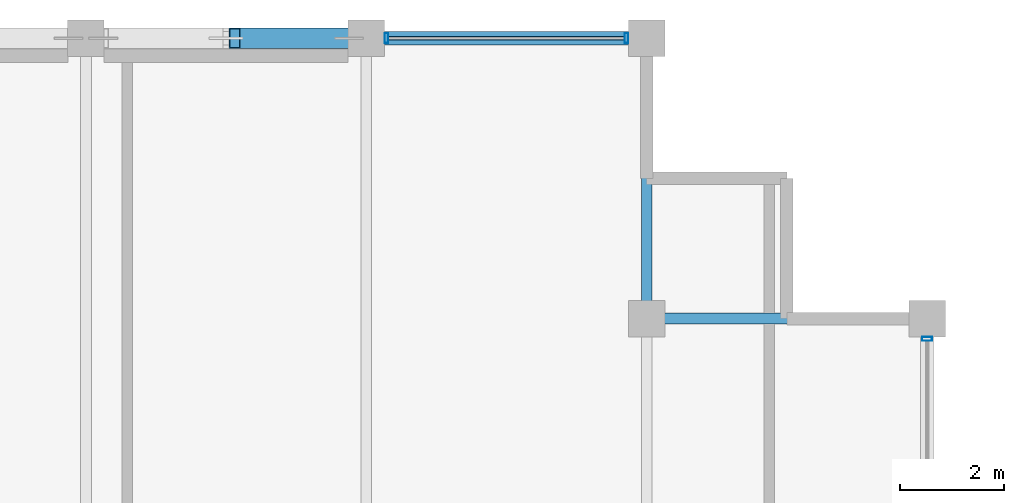
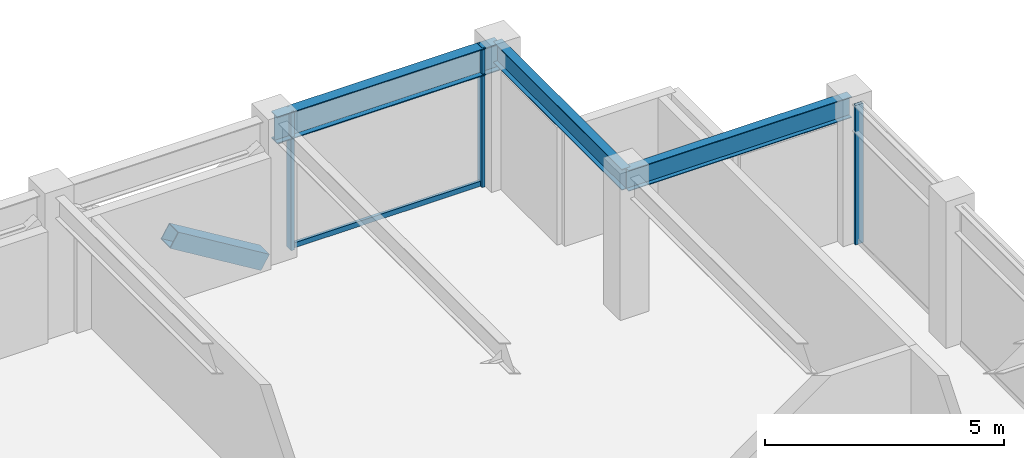
# One storey, part 19 of 29: 5 members, 3 beams, 2 elements without a shape of their own.
"""IFC4 building model written with IfcOpenShell, lengths in metres."""

import ifcopenshell
import ifcopenshell.guid

model = None  # the IFC model being written
_history = None  # IfcOwnerHistory: only IFC2X3 demands one
_inside = {}  # id of a spatial element -> (the spatial element, [elements in it])
_under = {}  # id of a project, library or spatial element -> (it, [spatial elements below it])
_declared = {}  # id of a project -> (the project, [libraries it declares])
_typed = {}  # id of a type object -> (the type object, [elements of that type])
_made_of = {}  # id of a material, layer set ... -> (it, [elements and type objects made of it])


def new_model(schema):
    """Start an empty IFC model of exactly this schema.

    Asked for "IFC4X3", IfcOpenShell would pick the latest addendum, in which some entities
    have other attributes; the version numbers below select the first issue.
    IFC2X3 requires an IfcOwnerHistory on every rooted entity: one is made here for all.
    """
    global model, _history
    if schema == "IFC4X3":
        model = ifcopenshell.file(schema_version=(4, 3, 0, 0))
    else:
        model = ifcopenshell.file(schema=schema)
    _inside.clear()
    _under.clear()
    _declared.clear()
    _typed.clear()
    _made_of.clear()
    _history = None
    if model.schema == "IFC2X3":
        org = make("IfcOrganization", Name="unknown")
        user = make(
            "IfcPersonAndOrganization",
            ThePerson=make("IfcPerson", FamilyName="unknown"),
            TheOrganization=org,
        )
        app = make(
            "IfcApplication",
            ApplicationDeveloper=org,
            Version="unknown",
            ApplicationFullName="unknown",
            ApplicationIdentifier="unknown",
        )
        _history = make(
            "IfcOwnerHistory",
            OwningUser=user,
            OwningApplication=app,
            ChangeAction="ADDED",
            CreationDate=0,
        )
    return model


def make(cls, **values):
    """One entity of the class cls with the attributes given. An attribute that is None is left unset."""
    return model.create_entity(
        cls, **{name: value for name, value in values.items() if value is not None}
    )


def rooted(cls, **values):
    """An entity with a GlobalId (a new one), such as an element, a storey or a relation."""
    return make(cls, GlobalId=ifcopenshell.guid.new(), OwnerHistory=_history, **values)


def si_unit(unit_type, name, prefix=None):
    """IfcSIUnit, for example si_unit("LENGTHUNIT", "METRE", prefix="MILLI")."""
    return make("IfcSIUnit", UnitType=unit_type, Prefix=prefix, Name=name)


def assignment(units):
    """IfcUnitAssignment: the units of a project."""
    return None if units is None else make("IfcUnitAssignment", Units=units)


def point(xyz):
    """IfcCartesianPoint."""
    return None if xyz is None else make("IfcCartesianPoint", Coordinates=xyz)


def direction(xyz):
    """IfcDirection."""
    return None if xyz is None else make("IfcDirection", DirectionRatios=xyz)


def frame(location, z_axis=None, x_axis=None):
    """IfcAxis2Placement3D, a coordinate frame: its origin and axes. An axis left out is left unset."""
    return make(
        "IfcAxis2Placement3D",
        Location=point(location),
        Axis=direction(z_axis),
        RefDirection=direction(x_axis),
    )


def frame_2d(location, x_axis=None):
    """IfcAxis2Placement2D, a coordinate frame in the plane: its origin and x axis."""
    return make(
        "IfcAxis2Placement2D", Location=point(location), RefDirection=direction(x_axis)
    )


def origin():
    """The frame at (0, 0, 0) with its axes left unset."""
    return frame((0.0, 0.0, 0.0))


def origin_2d():
    """The frame at (0, 0) in the plane with its x axis left unset."""
    return frame_2d((0.0, 0.0))


def place(relative_to, where):
    """IfcLocalPlacement: puts the frame where relative to a parent placement (None: the world)."""
    return make(
        "IfcLocalPlacement", PlacementRelTo=relative_to, RelativePlacement=where
    )


def context(
    kind, dimensions, precision=None, world=None, true_north=None, identifier=None
):
    """IfcGeometricRepresentationContext, for example the 3D "Model" context."""
    return make(
        "IfcGeometricRepresentationContext",
        ContextIdentifier=identifier,
        ContextType=kind,
        CoordinateSpaceDimension=dimensions,
        Precision=precision,
        WorldCoordinateSystem=world,
        TrueNorth=true_north,
    )


def subcontext(parent, identifier, kind, view, scale=None):
    """IfcGeometricRepresentationSubContext, for example "Body" below "Model"."""
    return make(
        "IfcGeometricRepresentationSubContext",
        ContextIdentifier=identifier,
        ContextType=kind,
        ParentContext=parent,
        TargetScale=scale,
        TargetView=view,
    )


def project(units=None, contexts=None):
    """IfcProject with its units and contexts."""
    return rooted(
        "IfcProject",
        Name="project",
        RepresentationContexts=contexts,
        UnitsInContext=assignment(units),
    )


def spatial(cls, under=None, at=None, **own):
    """A site, building, storey or space (cls), placed at a placement, below another one or the project."""
    s = rooted(cls, ObjectPlacement=at, **own)
    if under is not None:
        _under.setdefault(under.id(), (under, []))[1].append(s)
    return s


def profile(cls, at=None, kind="AREA", **sizes):
    """A parametric profile (cls). Its sizes go by their IFC names, for example OverallWidth=200.0."""
    return make(cls, ProfileType=kind, Position=at, **sizes)


def hollow_rectangle(**sizes):
    """IfcRectangleHollowProfileDef."""
    return profile("IfcRectangleHollowProfileDef", **sizes)


def i_section(**sizes):
    """IfcIShapeProfileDef."""
    return profile("IfcIShapeProfileDef", **sizes)


def extrude(swept, where, along, depth):
    """IfcExtrudedAreaSolid: the profile swept, set in the frame where, extruded along a direction by depth."""
    return make(
        "IfcExtrudedAreaSolid",
        SweptArea=swept,
        Position=where,
        ExtrudedDirection=direction(along),
        Depth=depth,
    )


def shape(context_of_items, identifier, shape_type, items):
    """IfcShapeRepresentation: the items that make up one representation, for example the "Body"."""
    return make(
        "IfcShapeRepresentation",
        ContextOfItems=context_of_items,
        RepresentationIdentifier=identifier,
        RepresentationType=shape_type,
        Items=items,
    )


def material(Name=None, Category=None):
    """IfcMaterial."""
    return make("IfcMaterial", Name=Name, Category=Category)


def layer(
    of_material, thickness, ventilated=None, Name=None, Category=None, Priority=None
):
    """IfcMaterialLayer: one layer of a wall or slab, of a material (None: an air gap)."""
    return make(
        "IfcMaterialLayer",
        Material=of_material,
        LayerThickness=thickness,
        IsVentilated=ventilated,
        Name=Name,
        Category=Category,
        Priority=Priority,
    )


def layer_set(layers, Name=None):
    """IfcMaterialLayerSet."""
    return make("IfcMaterialLayerSet", MaterialLayers=layers, LayerSetName=Name)


def material_profile(
    of_material, cross_section, Name=None, Category=None, Priority=None
):
    """IfcMaterialProfile: a cross section and its material."""
    return make(
        "IfcMaterialProfile",
        Name=Name,
        Material=of_material,
        Profile=cross_section,
        Priority=Priority,
        Category=Category,
    )


def profile_set(profiles, Name=None, composite=None):
    """IfcMaterialProfileSet."""
    return make(
        "IfcMaterialProfileSet",
        Name=Name,
        MaterialProfiles=profiles,
        CompositeProfile=composite,
    )


def made_of(thing, what):
    """Note that an element or type object is made of a material, layer set ...; save() writes the relation."""
    if what is not None:
        _made_of.setdefault(what.id(), (what, []))[1].append(thing)
    return thing


def type_object(cls, material=None, **own):
    """A type object (cls), such as IfcWallType, which elements share."""
    return made_of(rooted(cls, **own), material)


def element(
    cls,
    number,
    at=None,
    inside=None,
    cuts=None,
    type_object=None,
    material=None,
    context=None,
    identifier="Body",
    shape_type=None,
    held_by="IfcProductDefinitionShape",
    body=None,
    shapes=None,
    **own,
):
    """One element of the class cls, such as IfcWall. Its Tag is "e" and its number.

    at: its placement. inside: the storey or other place that contains it. cuts: it is an
    opening in that element (IfcRelVoidsElement). A single representation is given by context,
    identifier, shape_type and body (its items); several are given by shapes. held_by: the class
    of the entity that holds the representations. save() writes the other relations.
    """
    e = rooted(cls, Tag="e%d" % number, ObjectPlacement=at, **own)
    if body is not None:
        shapes = [shape(context, identifier, shape_type, body)]
    if shapes is not None:
        e.Representation = make(held_by, Representations=shapes)
    if inside is not None:
        _inside.setdefault(inside.id(), (inside, []))[1].append(e)
    if cuts is not None:
        rooted(
            "IfcRelVoidsElement", RelatingBuildingElement=cuts, RelatedOpeningElement=e
        )
    if type_object is not None:
        _typed.setdefault(type_object.id(), (type_object, []))[1].append(e)
    return made_of(e, material)


def aggregate(whole, parts):
    """IfcRelAggregates: a whole, such as a stair, and the parts it consists of."""
    return rooted("IfcRelAggregates", RelatingObject=whole, RelatedObjects=parts)


def save(model, path):
    """Write the relations noted so far, then the file.

    IfcRelAggregates (storeys below a building ...), IfcRelContainedInSpatialStructure (elements
    in a storey), IfcRelDefinesByType, IfcRelAssociatesMaterial and IfcRelDeclares: one each for
    every whole, place, type object, material and project.
    """
    for whole, parts in _under.values():
        aggregate(whole, parts)
    for where, things in _inside.values():
        rooted(
            "IfcRelContainedInSpatialStructure",
            RelatedElements=things,
            RelatingStructure=where,
        )
    for kind, things in _typed.values():
        rooted("IfcRelDefinesByType", RelatedObjects=things, RelatingType=kind)
    for what, things in _made_of.values():
        rooted("IfcRelAssociatesMaterial", RelatedObjects=things, RelatingMaterial=what)
    for by, libraries in _declared.values():
        rooted("IfcRelDeclares", RelatingContext=by, RelatedDefinitions=libraries)
    model.write(path)


model = new_model("IFC4")

# Units and contexts
model_context = context("Model", 3, precision=1e-05, world=origin(), true_north=direction((0.0, 1.0)))
body_context = subcontext(model_context, "Body", "Model", "MODEL_VIEW")
ifc_project = project(units=[si_unit("LENGTHUNIT", "METRE"), si_unit("AREAUNIT", "SQUARE_METRE"), si_unit("VOLUMEUNIT", "CUBIC_METRE"), si_unit("PLANEANGLEUNIT", "RADIAN"), si_unit("MASSUNIT", "GRAM", prefix="KILO")], contexts=[model_context])

# Site, building, storey
site_placement = place(None, origin())
site = spatial("IfcSite", under=ifc_project, at=site_placement, CompositionType="ELEMENT")
building_placement = place(site_placement, origin())
building = spatial("IfcBuilding", under=site, at=building_placement, Name="Surkhivell Harbour Commons", CompositionType="ELEMENT")
storey_placement = place(building_placement, frame((0.0, 0.0, 277.5)))
storey = spatial("IfcBuildingStorey", under=building, at=storey_placement, Name="L72", CompositionType="ELEMENT", Elevation=277.5)

# Beams
ifc_material_1 = material(Name="Steel S355", Category="steel")
ifc_material_profile_1 = material_profile(ifc_material_1, i_section(OverallWidth=0.2099609375, OverallDepth=0.537109375, WebThickness=0.0107421875, FlangeThickness=0.017333984375, at=origin_2d()), Name="UB533x210x101")
ifc_profile_set_1 = profile_set([ifc_material_profile_1], Name="Steel S355")
beam_type_1 = type_object("IfcBeamType", Name="BM-GRD-533B", PredefinedType="BEAM", material=ifc_profile_set_1)
for number, where, z_axis, x_axis, name in (
    (1, (10.800048828125, 20.5, 3.301513671875), (0.0, 1.0, 0.0), (-1.0, 0.0, 0.0), "L72 Floor Girder (10.8,20.5)"),
    (2, (10.800048828125, 20.5, 3.301513671875), (1.0, 0.0, 0.0), (0.0, 1.0, 0.0), "L72 Floor Girder (10.8,20.5)"),
):
    element("IfcBeam", number, at=place(storey_placement, frame(where, z_axis=z_axis, x_axis=x_axis)), inside=storey, type_object=beam_type_1, Name=name, PredefinedType="BEAM", context=body_context, shape_type="SweptSolid", body=[
        extrude(i_section(OverallWidth=0.2099609375, OverallDepth=0.537109375, WebThickness=0.0107421875, FlangeThickness=0.017333984375, at=origin_2d()), origin(), (0.0, 0.0, 1.0), 5.39990234375),
    ])
ifc_material_profile_2 = material_profile(ifc_material_1, i_section(OverallWidth=0.256103515625, OverallDepth=0.693115234375, WebThickness=0.014404296875, FlangeThickness=0.023681640625, at=origin_2d()), Name="UB686x254x170")
ifc_profile_set_2 = profile_set([ifc_material_profile_2], Name="Steel S355")
beam_type_2 = type_object("IfcBeamType", Name="BM-SPN-686", PredefinedType="SPANDREL", material=ifc_profile_set_2)
beam_placement = place(storey_placement, frame((5.39990234375, 25.89990234375, 3.223388671875), z_axis=(1.0, 0.0, 0.0), x_axis=(0.0, 1.0, 0.0)))
element("IfcBeam", 3, at=beam_placement, inside=storey, type_object=beam_type_2, Name="L72 Tube Spandrel (5.4,25.9)", PredefinedType="SPANDREL", context=body_context, shape_type="SweptSolid", body=[
    extrude(i_section(OverallWidth=0.256103515625, OverallDepth=0.693115234375, WebThickness=0.014404296875, FlangeThickness=0.023681640625, at=origin_2d()), origin(), (0.0, 0.0, 1.0), 5.400146484375),
])

# Curtain wall, member
ifc_material_2 = material(Name="Anodised pale-metal aluminium and insulated glazing", Category="aluminium")
ifc_layer = layer(ifc_material_2, 0.175048828125)
ifc_layer_set = layer_set([ifc_layer], Name="Anodised pale-metal aluminium and insulated glazing")
curtain_wall_type = type_object("IfcCurtainWallType", Name="CW-SYS-Z4", PredefinedType="NOTDEFINED", material=ifc_layer_set)
curtain_wall_1_placement = place(storey_placement, origin())
curtain_wall_1 = element("IfcCurtainWall", 4, at=curtain_wall_1_placement, inside=storey, type_object=curtain_wall_type, Name="L72 Curtain Wall CW-L72-E02R2", PredefinedType="NOTDEFINED")
ifc_material_3 = material(Name="Anodised pale-metal aluminium alloy 6063-T6", Category="aluminium")
ifc_material_profile_3 = material_profile(ifc_material_3, hollow_rectangle(XDim=0.074951171875, YDim=0.18994140625, WallThickness=0.00390625, at=origin_2d()), Name="ALU-MULL-75x190")
ifc_profile_set_3 = profile_set([ifc_material_profile_3], Name="Anodised pale-metal aluminium alloy 6063-T6")
member_type_1 = type_object("IfcMemberType", Name="CWM-190", PredefinedType="MULLION", material=ifc_profile_set_3)
member_1_placement = place(storey_placement, frame((16.199951171875, 20.110595703125, 0.0), z_axis=(0.0, 0.0, 1.0), x_axis=(0.0, 1.0, 0.0)))
member_1 = element("IfcMember", 5, at=member_1_placement, type_object=member_type_1, Name="CW-Z4 mullion 3", PredefinedType="MULLION", context=body_context, shape_type="SweptSolid", body=[
    extrude(hollow_rectangle(XDim=0.074951171875, YDim=0.18994140625, WallThickness=0.00390625, at=origin_2d()), origin(), (0.0, 0.0, 1.0), 3.570068359375),
])
aggregate(curtain_wall_1, [member_1])

# Curtain wall, members
curtain_wall_2_placement = place(storey_placement, origin())
curtain_wall_2 = element("IfcCurtainWall", 6, at=curtain_wall_2_placement, inside=storey, type_object=curtain_wall_type, Name="L72 Curtain Wall CW-L72-E07S1", PredefinedType="NOTDEFINED")
member_2_placement = place(storey_placement, frame((10.410400390625, 25.89990234375, 0.0), z_axis=(0.0, 0.0, 1.0), x_axis=(-1.0, 0.0, 0.0)))
member_2 = element("IfcMember", 7, at=member_2_placement, type_object=member_type_1, Name="CW-Z4 mullion 1", PredefinedType="MULLION", context=body_context, shape_type="SweptSolid", body=[
    extrude(hollow_rectangle(XDim=0.074951171875, YDim=0.18994140625, WallThickness=0.00390625, at=origin_2d()), origin(), (0.0, 0.0, 1.0), 3.570068359375),
])
member_3_placement = place(storey_placement, frame((5.78955078125, 25.89990234375, 0.0), z_axis=(0.0, 0.0, 1.0), x_axis=(-1.0, 0.0, 0.0)))
member_3 = element("IfcMember", 8, at=member_3_placement, type_object=member_type_1, Name="CW-Z4 mullion 2", PredefinedType="MULLION", context=body_context, shape_type="SweptSolid", body=[
    extrude(hollow_rectangle(XDim=0.074951171875, YDim=0.18994140625, WallThickness=0.00390625, at=origin_2d()), origin(), (0.0, 0.0, 1.0), 3.570068359375),
])
ifc_material_4 = material(Name="Champagne anodised aluminium alloy 6063-T6", Category="aluminium")
ifc_material_profile_4 = material_profile(ifc_material_4, hollow_rectangle(XDim=0.070068359375, YDim=0.1298828125, WallThickness=0.00341796875, at=origin_2d()), Name="ALU-TRAN-70x130")
ifc_profile_set_4 = profile_set([ifc_material_profile_4], Name="Champagne anodised aluminium alloy 6063-T6")
member_type_2 = type_object("IfcMemberType", Name="CWT-130", PredefinedType="USERDEFINED", material=ifc_profile_set_4)
member_4_placement = place(storey_placement, frame((10.373046875, 25.89990234375, 0.06494140625), z_axis=(-1.0, 0.0, 0.0), x_axis=(0.0, -1.0, 0.0)))
member_4 = element("IfcMember", 9, at=member_4_placement, type_object=member_type_2, Name="CW-Z4 transom 1.1", ObjectType="TRANSOM", PredefinedType="USERDEFINED", context=body_context, shape_type="SweptSolid", body=[
    extrude(hollow_rectangle(XDim=0.070068359375, YDim=0.1298828125, WallThickness=0.00341796875, at=origin_2d()), origin(), (0.0, 0.0, 1.0), 4.546142578125),
])
aggregate(curtain_wall_2, [member_2, member_3, member_4])

# Member
ifc_material_5 = material(Name="Steel S460", Category="steel")
ifc_material_profile_5 = material_profile(ifc_material_5, hollow_rectangle(XDim=0.39990234375, YDim=0.39990234375, WallThickness=0.02001953125, at=origin_2d()), Name="SHS400x400x20")
ifc_profile_set_5 = profile_set([ifc_material_profile_5], Name="Steel S460")
member_type_3 = type_object("IfcMemberType", Name="MEM-BRC-SHS400", PredefinedType="BRACE", material=ifc_profile_set_5)
member_5_placement = place(storey_placement, frame((5.06494140625, 25.89990234375, 0.008056640625), z_axis=(-0.854719912157, 0.0, 0.519089464122), x_axis=(0.0, -1.0, 0.0)))
element("IfcMember", 10, at=member_5_placement, inside=storey, type_object=member_type_3, Name="L72 Perimeter Mega-Brace MB- 05", PredefinedType="BRACE", context=body_context, shape_type="SweptSolid", body=[
    extrude(hollow_rectangle(XDim=0.39990234375, YDim=0.39990234375, WallThickness=0.02001953125, at=origin_2d()), origin(), (0.0, 0.0, 1.0), 2.574951171875),
])

save(model, "model.ifc")
